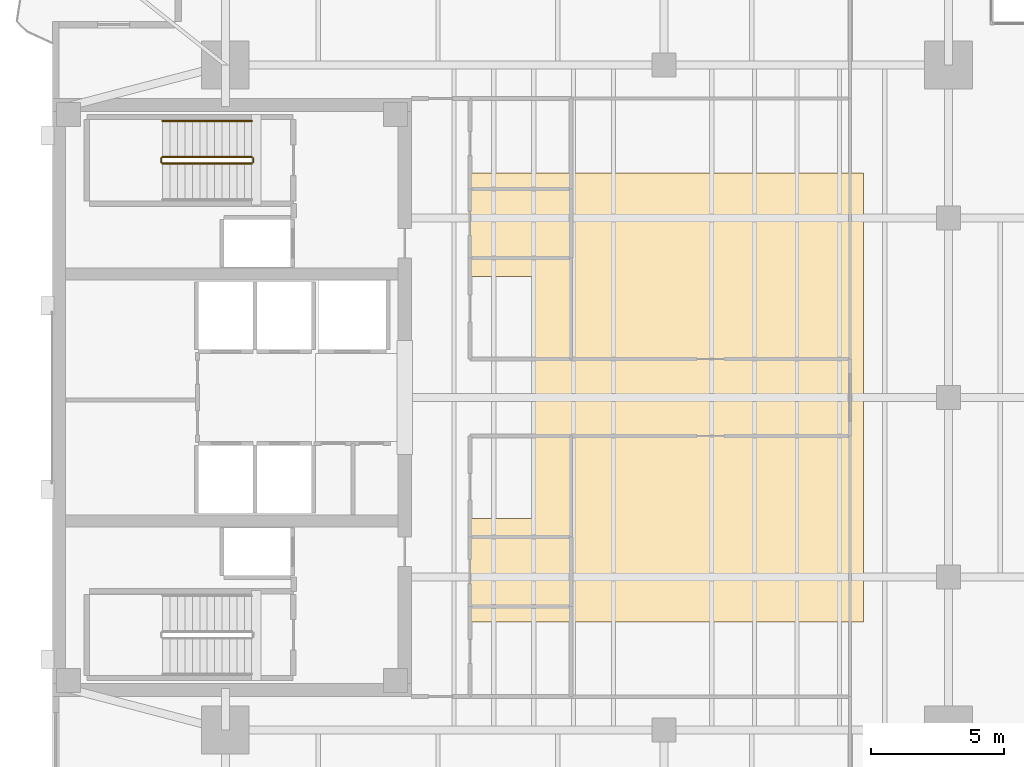
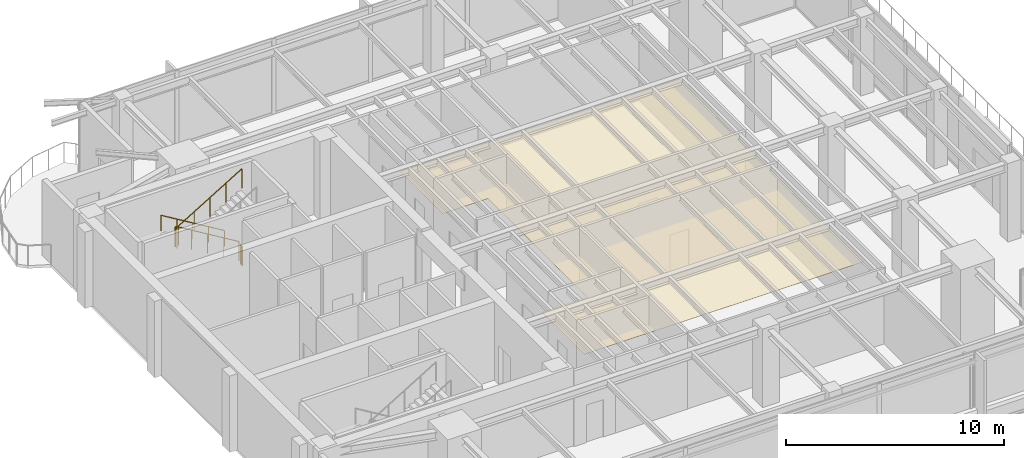
# One storey, part 13 of 14: 5 railings, 1 covering.
"""IFC4 building model written with IfcOpenShell, lengths in metres."""

from ifc_helpers import new_model, si_unit, direction, frame, origin, origin_2d, place, context, subcontext, project, spatial, polyline, circle, outline, extrude, material, layer, layer_set, type_object, element, save


model = new_model("IFC4")

# Units and contexts
model_context = context("Model", 3, precision=1e-05, world=origin(), true_north=direction((0.0, 1.0)))
body_context = subcontext(model_context, "Body", "Model", "MODEL_VIEW")
ifc_project = project(units=[si_unit("LENGTHUNIT", "METRE"), si_unit("AREAUNIT", "SQUARE_METRE"), si_unit("VOLUMEUNIT", "CUBIC_METRE"), si_unit("PLANEANGLEUNIT", "RADIAN"), si_unit("MASSUNIT", "GRAM", prefix="KILO")], contexts=[model_context])

# Site, building, storey
site_placement = place(None, origin())
site = spatial("IfcSite", under=ifc_project, at=site_placement, CompositionType="ELEMENT")
building_placement = place(site_placement, origin())
building = spatial("IfcBuilding", under=site, at=building_placement, Name="Kinhvarn Gate Tower", CompositionType="ELEMENT")
storey_placement = place(building_placement, frame((0.0, 0.0, 244.85009765625)))
storey = spatial("IfcBuildingStorey", under=building, at=storey_placement, Name="L65", CompositionType="ELEMENT", Elevation=244.85009765625)

# Covering
ifc_material_1 = material(Name="Mineral-fibre acoustic ceiling tile")
ifc_layer = layer(ifc_material_1, 0.02001953125)
ifc_layer_set = layer_set([ifc_layer], Name="Mineral-fibre acoustic ceiling tile")
covering_type = type_object("IfcCoveringType", Name="COV-CEIL-20", PredefinedType="CEILING", material=ifc_layer_set)
covering_placement = place(storey_placement, frame((0.0, 0.0, 2.64990234375)))
element("IfcCovering", 1, at=covering_placement, inside=storey, type_object=covering_type, Name="Suspended Acoustic Ceiling Tile (L65-1)", PredefinedType="CEILING", context=body_context, shape_type="SweptSolid", body=[
    extrude(outline(polyline([(35.0, 33.699951171875), (35.0, 16.800048828125), (20.199951171875, 16.800048828125), (20.199951171875, 20.699951171875), (22.60009765625, 20.699951171875), (22.60009765625, 29.800048828125), (20.199951171875, 29.800048828125), (20.199951171875, 33.699951171875), (35.0, 33.699951171875)])), origin(), (0.0, 0.0, 1.0), 0.02001953125),
])

# Railings
ifc_material_2 = material(Name="Steel S355", Category="steel")
railing_type_1 = type_object("IfcRailingType", Name="RL-ST-GRD", PredefinedType="BALUSTRADE", material=ifc_material_2)
railing_1_placement = place(storey_placement, frame((12.0, 34.300048828125, 0.169189453125)))
element("IfcRailing", 2, at=railing_1_placement, inside=storey, type_object=railing_type_1, Name="L65 ST2 stair guard 1", PredefinedType="BALUSTRADE", context=body_context, shape_type="SweptSolid", body=[
    extrude(circle(Radius=0.02392578125, at=origin_2d()), frame((0.0, 0.0, 1.076171875), z_axis=(-0.855836976705, 0.0, 0.517245656632), x_axis=(0.0, -1.0, 0.0)), (0.0, 0.0, 1.0), 3.926025390625),
    extrude(circle(Radius=0.02099609375, at=origin_2d()), origin(), (0.0, 0.0, 1.0), 1.052001953125),
    extrude(circle(Radius=0.02099609375, at=origin_2d()), frame((-0.840087890625, 0.0, 0.5078125)), (0.0, 0.0, 1.0), 1.052001953125),
    extrude(circle(Radius=0.02099609375, at=origin_2d()), frame((-1.68017578125, 0.0, 1.015380859375)), (0.0, 0.0, 1.0), 1.052001953125),
    extrude(circle(Radius=0.02099609375, at=origin_2d()), frame((-2.52001953125, 0.0, 1.52294921875)), (0.0, 0.0, 1.0), 1.052001953125),
    extrude(circle(Radius=0.02099609375, at=origin_2d()), frame((-3.360107421875, 0.0, 2.03076171875)), (0.0, 0.0, 1.0), 1.052001953125),
])
railing_2_placement = place(storey_placement, frame((8.590087890625, 34.25, 2.199951171875)))
element("IfcRailing", 3, at=railing_2_placement, inside=storey, type_object=railing_type_1, Name="L65 ST2 stair guard 2", PredefinedType="BALUSTRADE", context=body_context, shape_type="SweptSolid", body=[
    extrude(circle(Radius=0.02392578125, at=origin_2d()), frame((0.0, 0.0, 1.076171875), z_axis=(0.0, -1.0, 0.0), x_axis=(1.0, 0.0, 0.0)), (0.0, 0.0, 1.0), 0.14990234375),
    extrude(circle(Radius=0.02099609375, at=origin_2d()), origin(), (0.0, 0.0, 1.0), 1.052001953125),
    extrude(circle(Radius=0.02099609375, at=origin_2d()), frame((0.0, -0.14990234375, 0.0)), (0.0, 0.0, 1.0), 1.052001953125),
])
railing_3_placement = place(storey_placement, frame((8.639892578125, 34.050048828125, 2.369140625)))
element("IfcRailing", 4, at=railing_3_placement, inside=storey, type_object=railing_type_1, Name="L65 ST2 stair guard 3", PredefinedType="BALUSTRADE", context=body_context, shape_type="SweptSolid", body=[
    extrude(circle(Radius=0.02392578125, at=origin_2d()), frame((0.0, 0.0, 1.076171875), z_axis=(0.855836976705, 0.0, 0.517245656632), x_axis=(0.0, 1.0, 0.0)), (0.0, 0.0, 1.0), 3.926025390625),
    extrude(circle(Radius=0.02099609375, at=origin_2d()), origin(), (0.0, 0.0, 1.0), 1.052001953125),
    extrude(circle(Radius=0.02099609375, at=origin_2d()), frame((0.840087890625, 0.0, 0.5078125)), (0.0, 0.0, 1.0), 1.052001953125),
    extrude(circle(Radius=0.02099609375, at=origin_2d()), frame((1.68017578125, 0.0, 1.015380859375)), (0.0, 0.0, 1.0), 1.052001953125),
    extrude(circle(Radius=0.02099609375, at=origin_2d()), frame((2.52001953125, 0.0, 1.52294921875)), (0.0, 0.0, 1.0), 1.052001953125),
    extrude(circle(Radius=0.02099609375, at=origin_2d()), frame((3.360107421875, 0.0, 2.03076171875)), (0.0, 0.0, 1.0), 1.052001953125),
])
railing_4_placement = place(storey_placement, frame((12.050048828125, 34.25, 0.0)))
element("IfcRailing", 5, at=railing_4_placement, inside=storey, type_object=railing_type_1, Name="L65 ST2 stair guard 4", PredefinedType="BALUSTRADE", context=body_context, shape_type="SweptSolid", body=[
    extrude(circle(Radius=0.02392578125, at=origin_2d()), frame((0.0, 0.0, 1.076171875), z_axis=(0.0, -1.0, 0.0), x_axis=(1.0, 0.0, 0.0)), (0.0, 0.0, 1.0), 0.14990234375),
    extrude(circle(Radius=0.02099609375, at=origin_2d()), origin(), (0.0, 0.0, 1.0), 1.052001953125),
    extrude(circle(Radius=0.02099609375, at=origin_2d()), frame((0.0, -0.14990234375, 0.0)), (0.0, 0.0, 1.0), 1.052001953125),
])
railing_type_2 = type_object("IfcRailingType", Name="RL-ST-HND", PredefinedType="HANDRAIL", material=ifc_material_2)
railing_5_placement = place(storey_placement, frame((12.0, 35.64990234375, 0.169189453125)))
element("IfcRailing", 6, at=railing_5_placement, inside=storey, type_object=railing_type_2, Name="L65 ST2 stair handrail 1", PredefinedType="HANDRAIL", context=body_context, shape_type="SweptSolid", body=[
    extrude(circle(Radius=0.02392578125, at=origin_2d()), frame((0.0, 0.0, 0.8759765625), z_axis=(-0.855836976705, 0.0, 0.517245656632), x_axis=(0.0, -1.0, 0.0)), (0.0, 0.0, 1.0), 3.926025390625),
    extrude(circle(Radius=0.02099609375, at=origin_2d()), origin(), (0.0, 0.0, 1.0), 0.851806640625),
    extrude(circle(Radius=0.02099609375, at=origin_2d()), frame((-0.840087890625, 0.0, 0.5078125)), (0.0, 0.0, 1.0), 0.851806640625),
    extrude(circle(Radius=0.02099609375, at=origin_2d()), frame((-1.68017578125, 0.0, 1.015380859375)), (0.0, 0.0, 1.0), 0.851806640625),
    extrude(circle(Radius=0.02099609375, at=origin_2d()), frame((-2.52001953125, 0.0, 1.52294921875)), (0.0, 0.0, 1.0), 0.851806640625),
    extrude(circle(Radius=0.02099609375, at=origin_2d()), frame((-3.360107421875, 0.0, 2.03076171875)), (0.0, 0.0, 1.0), 0.851806640625),
])

save(model, "model.ifc")
